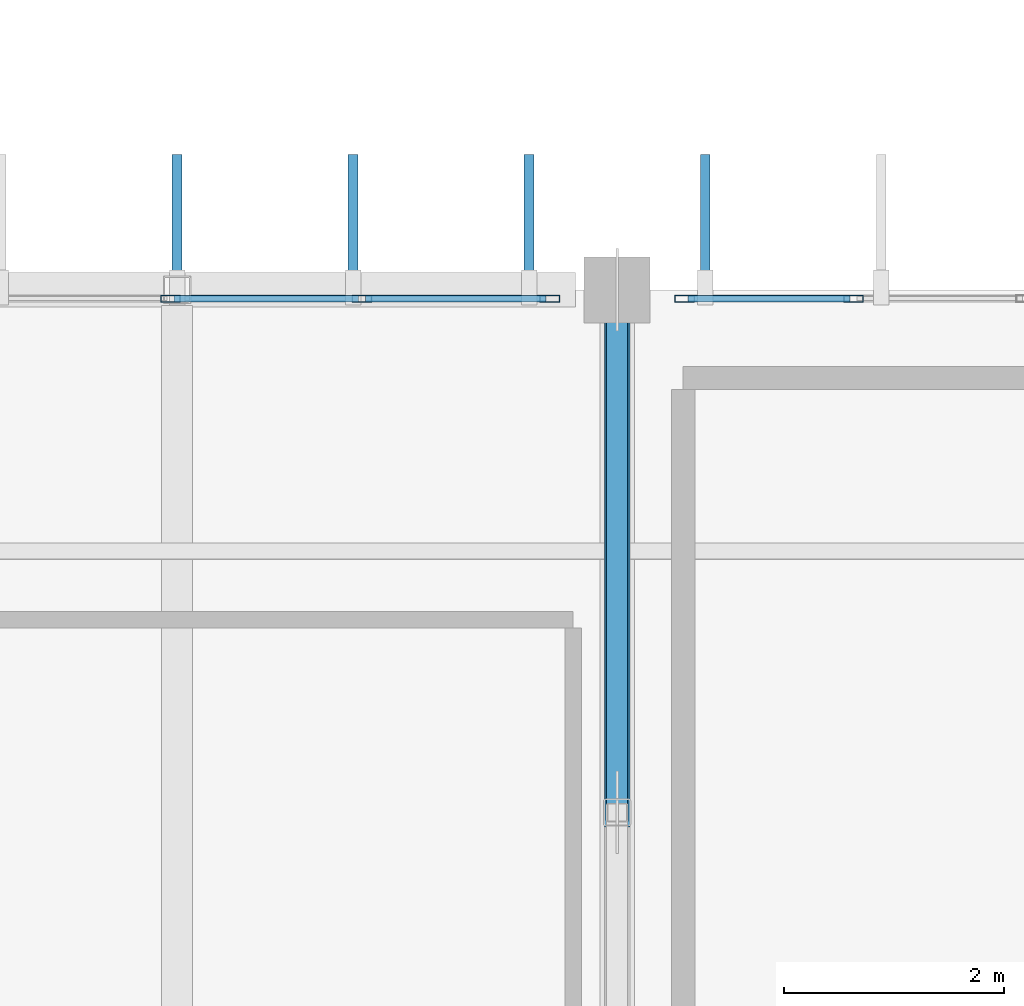
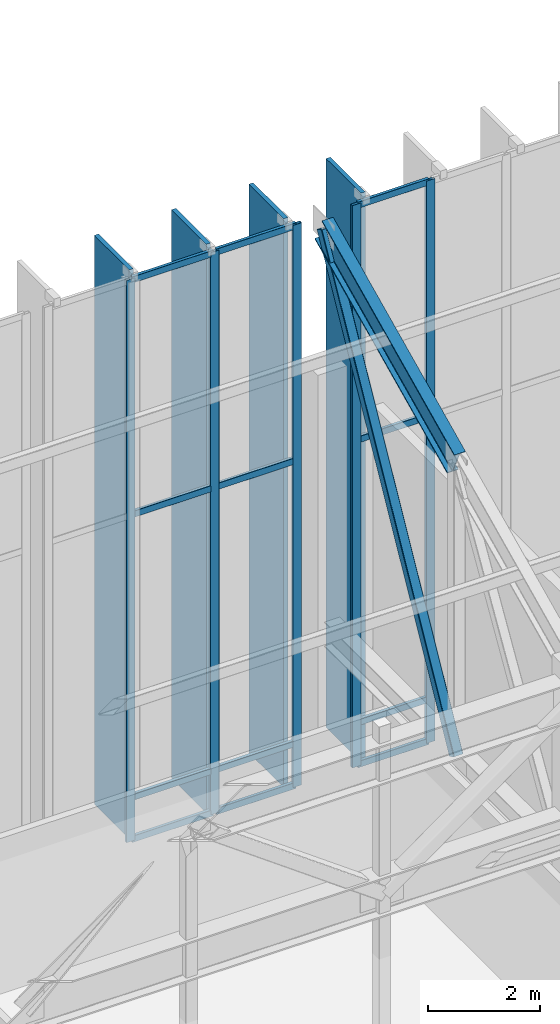
# One storey, part 33 of 68: 22 members, 1 beam, 2 elements without a shape of their own.
"""IFC4 building model written with IfcOpenShell, lengths in metres."""

import ifcopenshell
import ifcopenshell.guid

model = None  # the IFC model being written
_history = None  # IfcOwnerHistory: only IFC2X3 demands one
_inside = {}  # id of a spatial element -> (the spatial element, [elements in it])
_under = {}  # id of a project, library or spatial element -> (it, [spatial elements below it])
_declared = {}  # id of a project -> (the project, [libraries it declares])
_typed = {}  # id of a type object -> (the type object, [elements of that type])
_made_of = {}  # id of a material, layer set ... -> (it, [elements and type objects made of it])


def new_model(schema):
    """Start an empty IFC model of exactly this schema.

    Asked for "IFC4X3", IfcOpenShell would pick the latest addendum, in which some entities
    have other attributes; the version numbers below select the first issue.
    IFC2X3 requires an IfcOwnerHistory on every rooted entity: one is made here for all.
    """
    global model, _history
    if schema == "IFC4X3":
        model = ifcopenshell.file(schema_version=(4, 3, 0, 0))
    else:
        model = ifcopenshell.file(schema=schema)
    _inside.clear()
    _under.clear()
    _declared.clear()
    _typed.clear()
    _made_of.clear()
    _history = None
    if model.schema == "IFC2X3":
        org = make("IfcOrganization", Name="unknown")
        user = make(
            "IfcPersonAndOrganization",
            ThePerson=make("IfcPerson", FamilyName="unknown"),
            TheOrganization=org,
        )
        app = make(
            "IfcApplication",
            ApplicationDeveloper=org,
            Version="unknown",
            ApplicationFullName="unknown",
            ApplicationIdentifier="unknown",
        )
        _history = make(
            "IfcOwnerHistory",
            OwningUser=user,
            OwningApplication=app,
            ChangeAction="ADDED",
            CreationDate=0,
        )
    return model


def make(cls, **values):
    """One entity of the class cls with the attributes given. An attribute that is None is left unset."""
    return model.create_entity(
        cls, **{name: value for name, value in values.items() if value is not None}
    )


def rooted(cls, **values):
    """An entity with a GlobalId (a new one), such as an element, a storey or a relation."""
    return make(cls, GlobalId=ifcopenshell.guid.new(), OwnerHistory=_history, **values)


def si_unit(unit_type, name, prefix=None):
    """IfcSIUnit, for example si_unit("LENGTHUNIT", "METRE", prefix="MILLI")."""
    return make("IfcSIUnit", UnitType=unit_type, Prefix=prefix, Name=name)


def assignment(units):
    """IfcUnitAssignment: the units of a project."""
    return None if units is None else make("IfcUnitAssignment", Units=units)


def point(xyz):
    """IfcCartesianPoint."""
    return None if xyz is None else make("IfcCartesianPoint", Coordinates=xyz)


def direction(xyz):
    """IfcDirection."""
    return None if xyz is None else make("IfcDirection", DirectionRatios=xyz)


def frame(location, z_axis=None, x_axis=None):
    """IfcAxis2Placement3D, a coordinate frame: its origin and axes. An axis left out is left unset."""
    return make(
        "IfcAxis2Placement3D",
        Location=point(location),
        Axis=direction(z_axis),
        RefDirection=direction(x_axis),
    )


def frame_2d(location, x_axis=None):
    """IfcAxis2Placement2D, a coordinate frame in the plane: its origin and x axis."""
    return make(
        "IfcAxis2Placement2D", Location=point(location), RefDirection=direction(x_axis)
    )


def origin():
    """The frame at (0, 0, 0) with its axes left unset."""
    return frame((0.0, 0.0, 0.0))


def origin_2d():
    """The frame at (0, 0) in the plane with its x axis left unset."""
    return frame_2d((0.0, 0.0))


def place(relative_to, where):
    """IfcLocalPlacement: puts the frame where relative to a parent placement (None: the world)."""
    return make(
        "IfcLocalPlacement", PlacementRelTo=relative_to, RelativePlacement=where
    )


def context(
    kind, dimensions, precision=None, world=None, true_north=None, identifier=None
):
    """IfcGeometricRepresentationContext, for example the 3D "Model" context."""
    return make(
        "IfcGeometricRepresentationContext",
        ContextIdentifier=identifier,
        ContextType=kind,
        CoordinateSpaceDimension=dimensions,
        Precision=precision,
        WorldCoordinateSystem=world,
        TrueNorth=true_north,
    )


def subcontext(parent, identifier, kind, view, scale=None):
    """IfcGeometricRepresentationSubContext, for example "Body" below "Model"."""
    return make(
        "IfcGeometricRepresentationSubContext",
        ContextIdentifier=identifier,
        ContextType=kind,
        ParentContext=parent,
        TargetScale=scale,
        TargetView=view,
    )


def project(units=None, contexts=None):
    """IfcProject with its units and contexts."""
    return rooted(
        "IfcProject",
        Name="project",
        RepresentationContexts=contexts,
        UnitsInContext=assignment(units),
    )


def spatial(cls, under=None, at=None, **own):
    """A site, building, storey or space (cls), placed at a placement, below another one or the project."""
    s = rooted(cls, ObjectPlacement=at, **own)
    if under is not None:
        _under.setdefault(under.id(), (under, []))[1].append(s)
    return s


def profile(cls, at=None, kind="AREA", **sizes):
    """A parametric profile (cls). Its sizes go by their IFC names, for example OverallWidth=200.0."""
    return make(cls, ProfileType=kind, Position=at, **sizes)


def rectangle(**sizes):
    """IfcRectangleProfileDef."""
    return profile("IfcRectangleProfileDef", **sizes)


def hollow_rectangle(**sizes):
    """IfcRectangleHollowProfileDef."""
    return profile("IfcRectangleHollowProfileDef", **sizes)


def i_section(**sizes):
    """IfcIShapeProfileDef."""
    return profile("IfcIShapeProfileDef", **sizes)


def extrude(swept, where, along, depth):
    """IfcExtrudedAreaSolid: the profile swept, set in the frame where, extruded along a direction by depth."""
    return make(
        "IfcExtrudedAreaSolid",
        SweptArea=swept,
        Position=where,
        ExtrudedDirection=direction(along),
        Depth=depth,
    )


def shape(context_of_items, identifier, shape_type, items):
    """IfcShapeRepresentation: the items that make up one representation, for example the "Body"."""
    return make(
        "IfcShapeRepresentation",
        ContextOfItems=context_of_items,
        RepresentationIdentifier=identifier,
        RepresentationType=shape_type,
        Items=items,
    )


def material(Name=None, Category=None):
    """IfcMaterial."""
    return make("IfcMaterial", Name=Name, Category=Category)


def material_profile(
    of_material, cross_section, Name=None, Category=None, Priority=None
):
    """IfcMaterialProfile: a cross section and its material."""
    return make(
        "IfcMaterialProfile",
        Name=Name,
        Material=of_material,
        Profile=cross_section,
        Priority=Priority,
        Category=Category,
    )


def profile_set(profiles, Name=None, composite=None):
    """IfcMaterialProfileSet."""
    return make(
        "IfcMaterialProfileSet",
        Name=Name,
        MaterialProfiles=profiles,
        CompositeProfile=composite,
    )


def made_of(thing, what):
    """Note that an element or type object is made of a material, layer set ...; save() writes the relation."""
    if what is not None:
        _made_of.setdefault(what.id(), (what, []))[1].append(thing)
    return thing


def type_object(cls, material=None, **own):
    """A type object (cls), such as IfcWallType, which elements share."""
    return made_of(rooted(cls, **own), material)


def element(
    cls,
    number,
    at=None,
    inside=None,
    cuts=None,
    type_object=None,
    material=None,
    context=None,
    identifier="Body",
    shape_type=None,
    held_by="IfcProductDefinitionShape",
    body=None,
    shapes=None,
    **own,
):
    """One element of the class cls, such as IfcWall. Its Tag is "e" and its number.

    at: its placement. inside: the storey or other place that contains it. cuts: it is an
    opening in that element (IfcRelVoidsElement). A single representation is given by context,
    identifier, shape_type and body (its items); several are given by shapes. held_by: the class
    of the entity that holds the representations. save() writes the other relations.
    """
    e = rooted(cls, Tag="e%d" % number, ObjectPlacement=at, **own)
    if body is not None:
        shapes = [shape(context, identifier, shape_type, body)]
    if shapes is not None:
        e.Representation = make(held_by, Representations=shapes)
    if inside is not None:
        _inside.setdefault(inside.id(), (inside, []))[1].append(e)
    if cuts is not None:
        rooted(
            "IfcRelVoidsElement", RelatingBuildingElement=cuts, RelatedOpeningElement=e
        )
    if type_object is not None:
        _typed.setdefault(type_object.id(), (type_object, []))[1].append(e)
    return made_of(e, material)


def aggregate(whole, parts):
    """IfcRelAggregates: a whole, such as a stair, and the parts it consists of."""
    return rooted("IfcRelAggregates", RelatingObject=whole, RelatedObjects=parts)


def save(model, path):
    """Write the relations noted so far, then the file.

    IfcRelAggregates (storeys below a building ...), IfcRelContainedInSpatialStructure (elements
    in a storey), IfcRelDefinesByType, IfcRelAssociatesMaterial and IfcRelDeclares: one each for
    every whole, place, type object, material and project.
    """
    for whole, parts in _under.values():
        aggregate(whole, parts)
    for where, things in _inside.values():
        rooted(
            "IfcRelContainedInSpatialStructure",
            RelatedElements=things,
            RelatingStructure=where,
        )
    for kind, things in _typed.values():
        rooted("IfcRelDefinesByType", RelatedObjects=things, RelatingType=kind)
    for what, things in _made_of.values():
        rooted("IfcRelAssociatesMaterial", RelatedObjects=things, RelatingMaterial=what)
    for by, libraries in _declared.values():
        rooted("IfcRelDeclares", RelatingContext=by, RelatedDefinitions=libraries)
    model.write(path)


model = new_model("IFC4")

# Units and contexts
model_context = context("Model", 3, precision=1e-05, world=origin(), true_north=direction((0.0, 1.0)))
body_context = subcontext(model_context, "Body", "Model", "MODEL_VIEW")
ifc_project = project(units=[si_unit("LENGTHUNIT", "METRE"), si_unit("AREAUNIT", "SQUARE_METRE"), si_unit("VOLUMEUNIT", "CUBIC_METRE"), si_unit("PLANEANGLEUNIT", "RADIAN"), si_unit("MASSUNIT", "GRAM", prefix="KILO")], contexts=[model_context])

# Site, building, storey
site_placement = place(None, origin())
site = spatial("IfcSite", under=ifc_project, at=site_placement, CompositionType="ELEMENT")
building_placement = place(site_placement, origin())
building = spatial("IfcBuilding", under=site, at=building_placement, Name="Miravela Opera House", CompositionType="ELEMENT")
storey_placement = place(building_placement, frame((0.0, 0.0, 21.760009765625)))
storey = spatial("IfcBuildingStorey", under=building, at=storey_placement, Name="L05", CompositionType="ELEMENT", Elevation=21.760009765625)

# Curtain wall, members
ifc_material_1 = material(Name="Anodised architectural bronze aluminium 6063-T6", Category="aluminium")
curtain_wall_type = type_object("IfcCurtainWallType", Name="ARC-CW-03", PredefinedType="NOTDEFINED", material=ifc_material_1)
curtain_wall_1_placement = place(storey_placement, origin())
curtain_wall_1 = element("IfcCurtainWall", 1, at=curtain_wall_1_placement, inside=storey, type_object=curtain_wall_type, Name="Auditorium North Wrapper Glazing CW-L05-057", PredefinedType="NOTDEFINED")
ifc_material_profile_1 = material_profile(ifc_material_1, hollow_rectangle(XDim=0.06494140625, YDim=0.179931640625, WallThickness=0.00390625, InnerFilletRadius=0.001953125, OuterFilletRadius=0.00390625, at=origin_2d()), Name="CWM-65X180")
ifc_profile_set_1 = profile_set([ifc_material_profile_1])
member_type_1 = type_object("IfcMemberType", Name="ARC-CWM-180", PredefinedType="MULLION", material=ifc_profile_set_1)
member_1_placement = place(storey_placement, frame((22.93994140625, 74.919921875, 0.0), z_axis=(0.0, 0.0, 1.0), x_axis=(0.0, 1.0, 0.0)))
member_1 = element("IfcMember", 2, at=member_1_placement, type_object=member_type_1, Name="CW-03 mullion 2", PredefinedType="MULLION", context=body_context, shape_type="SweptSolid", body=[
    extrude(hollow_rectangle(XDim=0.06494140625, YDim=0.179931640625, WallThickness=0.00390625, InnerFilletRadius=0.001953125, OuterFilletRadius=0.00390625, at=origin_2d()), origin(), (0.0, 0.0, 1.0), 12.31005859375),
])
member_2_placement = place(storey_placement, frame((24.679931640625, 74.919921875, 0.0), z_axis=(0.0, 0.0, 1.0), x_axis=(0.0, 1.0, 0.0)))
member_2 = element("IfcMember", 3, at=member_2_placement, type_object=member_type_1, Name="CW-03 mullion 3", PredefinedType="MULLION", context=body_context, shape_type="SweptSolid", body=[
    extrude(hollow_rectangle(XDim=0.06494140625, YDim=0.179931640625, WallThickness=0.00390625, InnerFilletRadius=0.001953125, OuterFilletRadius=0.00390625, at=origin_2d()), origin(), (0.0, 0.0, 1.0), 12.31005859375),
])
member_3_placement = place(storey_placement, frame((26.387451171875, 74.919921875, 0.0), z_axis=(0.0, 0.0, 1.0), x_axis=(0.0, 1.0, 0.0)))
member_3 = element("IfcMember", 4, at=member_3_placement, type_object=member_type_1, Name="CW-03 mullion 4", PredefinedType="MULLION", context=body_context, shape_type="SweptSolid", body=[
    extrude(hollow_rectangle(XDim=0.06494140625, YDim=0.179931640625, WallThickness=0.00390625, InnerFilletRadius=0.001953125, OuterFilletRadius=0.00390625, at=origin_2d()), origin(), (0.0, 0.0, 1.0), 12.31005859375),
])

curtain_wall_2_placement = place(storey_placement, origin())
curtain_wall_2 = element("IfcCurtainWall", 5, at=curtain_wall_2_placement, inside=storey, type_object=curtain_wall_type, Name="Auditorium North Wrapper Glazing CW-L05-059", PredefinedType="NOTDEFINED")
member_4_placement = place(storey_placement, frame((27.612548828125, 74.919921875, 0.0), z_axis=(0.0, 0.0, 1.0), x_axis=(0.0, 1.0, 0.0)))
member_4 = element("IfcMember", 6, at=member_4_placement, type_object=member_type_1, Name="CW-03 mullion 1", PredefinedType="MULLION", context=body_context, shape_type="SweptSolid", body=[
    extrude(hollow_rectangle(XDim=0.06494140625, YDim=0.179931640625, WallThickness=0.00390625, InnerFilletRadius=0.001953125, OuterFilletRadius=0.00390625, at=origin_2d()), origin(), (0.0, 0.0, 1.0), 12.31005859375),
])
member_5_placement = place(storey_placement, frame((29.14794921875, 74.919921875, 0.0), z_axis=(0.0, 0.0, 1.0), x_axis=(0.0, 1.0, 0.0)))
member_5 = element("IfcMember", 7, at=member_5_placement, type_object=member_type_1, Name="CW-03 mullion 2", PredefinedType="MULLION", context=body_context, shape_type="SweptSolid", body=[
    extrude(hollow_rectangle(XDim=0.06494140625, YDim=0.179931640625, WallThickness=0.00390625, InnerFilletRadius=0.001953125, OuterFilletRadius=0.00390625, at=origin_2d()), origin(), (0.0, 0.0, 1.0), 12.31005859375),
])

# Member
ifc_material_profile_2 = material_profile(ifc_material_1, hollow_rectangle(XDim=0.06494140625, YDim=0.139892578125, WallThickness=0.00390625, InnerFilletRadius=0.001953125, OuterFilletRadius=0.00390625, at=origin_2d()), Name="CWT-65X140")
ifc_profile_set_2 = profile_set([ifc_material_profile_2])
member_type_2 = type_object("IfcMemberType", Name="ARC-CWT-140", PredefinedType="USERDEFINED", material=ifc_profile_set_2)
member_6_placement = place(storey_placement, frame((22.972412109375, 74.919921875, 0.032470703125), z_axis=(1.0, 0.0, 0.0), x_axis=(0.0, 1.0, 0.0)))
member_6 = element("IfcMember", 8, at=member_6_placement, type_object=member_type_2, Name="CW-03 transom 2.1", ObjectType="TRANSOM", PredefinedType="USERDEFINED", context=body_context, shape_type="SweptSolid", body=[
    extrude(hollow_rectangle(XDim=0.06494140625, YDim=0.139892578125, WallThickness=0.00390625, InnerFilletRadius=0.001953125, OuterFilletRadius=0.00390625, at=origin_2d()), origin(), (0.0, 0.0, 1.0), 1.675048828125),
])

member_7_placement = place(storey_placement, frame((22.972412109375, 74.919921875, 0.949951171875), z_axis=(1.0, 0.0, 0.0), x_axis=(0.0, 1.0, 0.0)))
member_7 = element("IfcMember", 9, at=member_7_placement, type_object=member_type_2, Name="CW-03 transom 2.2", ObjectType="TRANSOM", PredefinedType="USERDEFINED", context=body_context, shape_type="SweptSolid", body=[
    extrude(hollow_rectangle(XDim=0.06494140625, YDim=0.139892578125, WallThickness=0.00390625, InnerFilletRadius=0.001953125, OuterFilletRadius=0.00390625, at=origin_2d()), origin(), (0.0, 0.0, 1.0), 1.675048828125),
])

member_8_placement = place(storey_placement, frame((22.972412109375, 74.919921875, 7.139892578125), z_axis=(1.0, 0.0, 0.0), x_axis=(0.0, 1.0, 0.0)))
member_8 = element("IfcMember", 10, at=member_8_placement, type_object=member_type_2, Name="CW-03 transom 2.3", ObjectType="TRANSOM", PredefinedType="USERDEFINED", context=body_context, shape_type="SweptSolid", body=[
    extrude(hollow_rectangle(XDim=0.06494140625, YDim=0.139892578125, WallThickness=0.00390625, InnerFilletRadius=0.001953125, OuterFilletRadius=0.00390625, at=origin_2d()), origin(), (0.0, 0.0, 1.0), 1.675048828125),
])

member_9_placement = place(storey_placement, frame((22.972412109375, 74.919921875, 12.277587890625), z_axis=(1.0, 0.0, 0.0), x_axis=(0.0, 1.0, 0.0)))
member_9 = element("IfcMember", 11, at=member_9_placement, type_object=member_type_2, Name="CW-03 transom 2.4", ObjectType="TRANSOM", PredefinedType="USERDEFINED", context=body_context, shape_type="SweptSolid", body=[
    extrude(hollow_rectangle(XDim=0.06494140625, YDim=0.139892578125, WallThickness=0.00390625, InnerFilletRadius=0.001953125, OuterFilletRadius=0.00390625, at=origin_2d()), origin(), (0.0, 0.0, 1.0), 1.675048828125),
])

member_10_placement = place(storey_placement, frame((24.71240234375, 74.919921875, 0.032470703125), z_axis=(1.0, 0.0, 0.0), x_axis=(0.0, 1.0, 0.0)))
member_10 = element("IfcMember", 12, at=member_10_placement, type_object=member_type_2, Name="CW-03 transom 3.1", ObjectType="TRANSOM", PredefinedType="USERDEFINED", context=body_context, shape_type="SweptSolid", body=[
    extrude(hollow_rectangle(XDim=0.06494140625, YDim=0.139892578125, WallThickness=0.00390625, InnerFilletRadius=0.001953125, OuterFilletRadius=0.00390625, at=origin_2d()), origin(), (0.0, 0.0, 1.0), 1.642578125),
])

member_11_placement = place(storey_placement, frame((24.71240234375, 74.919921875, 0.949951171875), z_axis=(1.0, 0.0, 0.0), x_axis=(0.0, 1.0, 0.0)))
member_11 = element("IfcMember", 13, at=member_11_placement, type_object=member_type_2, Name="CW-03 transom 3.2", ObjectType="TRANSOM", PredefinedType="USERDEFINED", context=body_context, shape_type="SweptSolid", body=[
    extrude(hollow_rectangle(XDim=0.06494140625, YDim=0.139892578125, WallThickness=0.00390625, InnerFilletRadius=0.001953125, OuterFilletRadius=0.00390625, at=origin_2d()), origin(), (0.0, 0.0, 1.0), 1.642578125),
])

member_12_placement = place(storey_placement, frame((24.71240234375, 74.919921875, 7.139892578125), z_axis=(1.0, 0.0, 0.0), x_axis=(0.0, 1.0, 0.0)))
member_12 = element("IfcMember", 14, at=member_12_placement, type_object=member_type_2, Name="CW-03 transom 3.3", ObjectType="TRANSOM", PredefinedType="USERDEFINED", context=body_context, shape_type="SweptSolid", body=[
    extrude(hollow_rectangle(XDim=0.06494140625, YDim=0.139892578125, WallThickness=0.00390625, InnerFilletRadius=0.001953125, OuterFilletRadius=0.00390625, at=origin_2d()), origin(), (0.0, 0.0, 1.0), 1.642578125),
])

member_13_placement = place(storey_placement, frame((24.71240234375, 74.919921875, 12.277587890625), z_axis=(1.0, 0.0, 0.0), x_axis=(0.0, 1.0, 0.0)))
member_13 = element("IfcMember", 15, at=member_13_placement, type_object=member_type_2, Name="CW-03 transom 3.4", ObjectType="TRANSOM", PredefinedType="USERDEFINED", context=body_context, shape_type="SweptSolid", body=[
    extrude(hollow_rectangle(XDim=0.06494140625, YDim=0.139892578125, WallThickness=0.00390625, InnerFilletRadius=0.001953125, OuterFilletRadius=0.00390625, at=origin_2d()), origin(), (0.0, 0.0, 1.0), 1.642578125),
])

aggregate(curtain_wall_1, [member_1, member_2, member_3, member_6, member_7, member_8, member_9, member_10, member_11, member_12, member_13])

member_14_placement = place(storey_placement, frame((27.64501953125, 74.919921875, 0.032470703125), z_axis=(1.0, 0.0, 0.0), x_axis=(0.0, 1.0, 0.0)))
member_14 = element("IfcMember", 16, at=member_14_placement, type_object=member_type_2, Name="CW-03 transom 1.1", ObjectType="TRANSOM", PredefinedType="USERDEFINED", context=body_context, shape_type="SweptSolid", body=[
    extrude(hollow_rectangle(XDim=0.06494140625, YDim=0.139892578125, WallThickness=0.00390625, InnerFilletRadius=0.001953125, OuterFilletRadius=0.00390625, at=origin_2d()), origin(), (0.0, 0.0, 1.0), 1.470458984375),
])

member_15_placement = place(storey_placement, frame((27.64501953125, 74.919921875, 0.949951171875), z_axis=(1.0, 0.0, 0.0), x_axis=(0.0, 1.0, 0.0)))
member_15 = element("IfcMember", 17, at=member_15_placement, type_object=member_type_2, Name="CW-03 transom 1.2", ObjectType="TRANSOM", PredefinedType="USERDEFINED", context=body_context, shape_type="SweptSolid", body=[
    extrude(hollow_rectangle(XDim=0.06494140625, YDim=0.139892578125, WallThickness=0.00390625, InnerFilletRadius=0.001953125, OuterFilletRadius=0.00390625, at=origin_2d()), origin(), (0.0, 0.0, 1.0), 1.470458984375),
])

member_16_placement = place(storey_placement, frame((27.64501953125, 74.919921875, 7.139892578125), z_axis=(1.0, 0.0, 0.0), x_axis=(0.0, 1.0, 0.0)))
member_16 = element("IfcMember", 18, at=member_16_placement, type_object=member_type_2, Name="CW-03 transom 1.3", ObjectType="TRANSOM", PredefinedType="USERDEFINED", context=body_context, shape_type="SweptSolid", body=[
    extrude(hollow_rectangle(XDim=0.06494140625, YDim=0.139892578125, WallThickness=0.00390625, InnerFilletRadius=0.001953125, OuterFilletRadius=0.00390625, at=origin_2d()), origin(), (0.0, 0.0, 1.0), 1.470458984375),
])

member_17_placement = place(storey_placement, frame((27.64501953125, 74.919921875, 12.277587890625), z_axis=(1.0, 0.0, 0.0), x_axis=(0.0, 1.0, 0.0)))
member_17 = element("IfcMember", 19, at=member_17_placement, type_object=member_type_2, Name="CW-03 transom 1.4", ObjectType="TRANSOM", PredefinedType="USERDEFINED", context=body_context, shape_type="SweptSolid", body=[
    extrude(hollow_rectangle(XDim=0.06494140625, YDim=0.139892578125, WallThickness=0.00390625, InnerFilletRadius=0.001953125, OuterFilletRadius=0.00390625, at=origin_2d()), origin(), (0.0, 0.0, 1.0), 1.470458984375),
])

aggregate(curtain_wall_2, [member_4, member_5, member_14, member_15, member_16, member_17])

# Members
ifc_material_profile_3 = material_profile(ifc_material_1, rectangle(XDim=0.090087890625, YDim=1.25, at=origin_2d()), Name="FIN-1250X90")
ifc_profile_set_3 = profile_set([ifc_material_profile_3])
member_type_3 = type_object("IfcMemberType", Name="ARC-FIN-1250", PredefinedType="USERDEFINED", material=ifc_profile_set_3)
for number, where, z_axis, x_axis, name in (
    (20, (23.0, 75.60498046875, 0.0), (0.0, 0.0, 1.0), (1.0, 0.0, 0.0), "Auditorium Wrapper Bronze Solar Fin FIN-L05-NORTH-0171"),
    (21, (24.60009765625, 75.60498046875, 0.0), (0.0, 0.0, 1.0), (1.0, 0.0, 0.0), "Auditorium Wrapper Bronze Solar Fin FIN-L05-NORTH-0173"),
    (22, (26.199951171875, 75.60498046875, 0.0), (0.0, 0.0, 1.0), (1.0, 0.0, 0.0), "Auditorium Wrapper Bronze Solar Fin FIN-L05-NORTH-0175"),
    (23, (27.800048828125, 75.60498046875, 0.0), (0.0, 0.0, 1.0), (1.0, 0.0, 0.0), "Auditorium Wrapper Bronze Solar Fin FIN-L05-NORTH-0177"),
):
    element("IfcMember", number, at=place(storey_placement, frame(where, z_axis=z_axis, x_axis=x_axis)), inside=storey, type_object=member_type_3, Name=name, ObjectType="FIN", PredefinedType="USERDEFINED", context=body_context, shape_type="SweptSolid", body=[
        extrude(rectangle(XDim=0.090087890625, YDim=1.25, at=origin_2d()), origin(), (0.0, 0.0, 1.0), 12.449951171875),
    ])

# Beam
ifc_material_2 = material(Name="Structural steel ASTM A992 Gr. 50", Category="steel")
ifc_material_profile_4 = material_profile(ifc_material_2, i_section(OverallWidth=0.22998046875, OverallDepth=0.616943359375, WebThickness=0.01318359375, FlangeThickness=0.022216796875, FilletRadius=0.01806640625, at=origin_2d()), Name="W610X140")
ifc_profile_set_4 = profile_set([ifc_material_profile_4])
beam_type = type_object("IfcBeamType", Name="STR-BM-W610X140", PredefinedType="BEAM", material=ifc_profile_set_4)
beam_placement = place(storey_placement, frame((27.0, 70.25, 9.689453125), z_axis=(0.0, 0.903737838894, 0.428086344739), x_axis=(-1.0, 0.0, 0.0)))
element("IfcBeam", 24, at=beam_placement, inside=storey, type_object=beam_type, Name="V-Crest Roof Rafter Girder X=27 Seg 8", PredefinedType="BEAM", context=body_context, shape_type="SweptSolid", body=[
    extrude(i_section(OverallWidth=0.22998046875, OverallDepth=0.616943359375, WebThickness=0.01318359375, FlangeThickness=0.022216796875, FilletRadius=0.01806640625, at=origin_2d()), origin(), (0.0, 0.0, 1.0), 5.255859375),
])

# Member
ifc_material_3 = material(Name="Hollow structural steel ASTM A500 Gr. C", Category="steel")
ifc_material_profile_5 = material_profile(ifc_material_3, hollow_rectangle(XDim=0.199951171875, YDim=0.199951171875, WallThickness=0.010009765625, InnerFilletRadius=0.010009765625, OuterFilletRadius=0.02001953125, at=origin_2d()), Name="HSS200X200X10")
ifc_profile_set_5 = profile_set([ifc_material_profile_5])
member_type_4 = type_object("IfcMemberType", Name="STR-MEM-WEDGE-WEB", PredefinedType="BRACE", material=ifc_profile_set_5)
member_18_placement = place(storey_placement, frame((27.0, 70.25, 3.280029296875), z_axis=(0.0, 0.480911686794, 0.876769040001), x_axis=(-1.0, 0.0, 0.0)))
element("IfcMember", 25, at=member_18_placement, inside=storey, type_object=member_type_4, Name="V-Crest Roof Truss Web Diagonal X=27 Bay 8", PredefinedType="BRACE", context=body_context, shape_type="SweptSolid", body=[
    extrude(hollow_rectangle(XDim=0.199951171875, YDim=0.199951171875, WallThickness=0.010009765625, InnerFilletRadius=0.010009765625, OuterFilletRadius=0.02001953125, at=origin_2d()), origin(), (0.0, 0.0, 1.0), 9.876953125),
])

save(model, "model.ifc")
